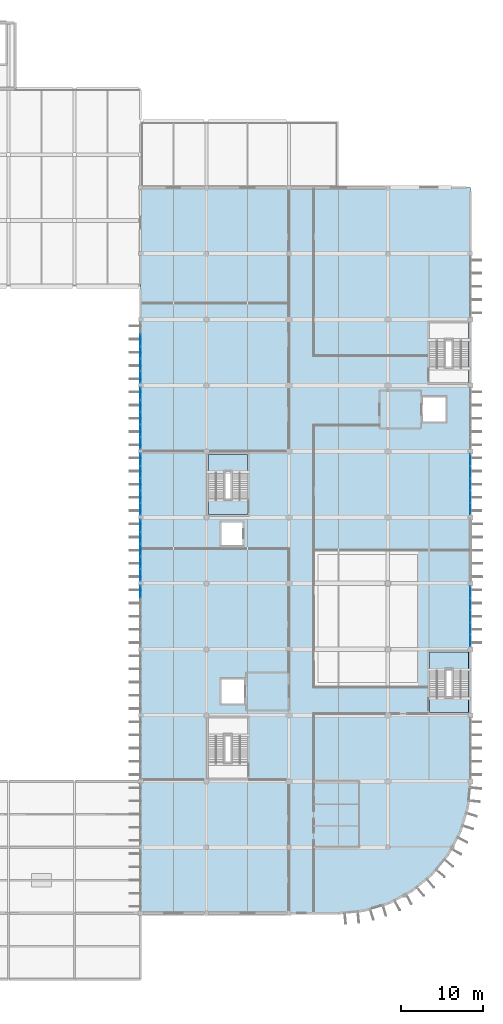
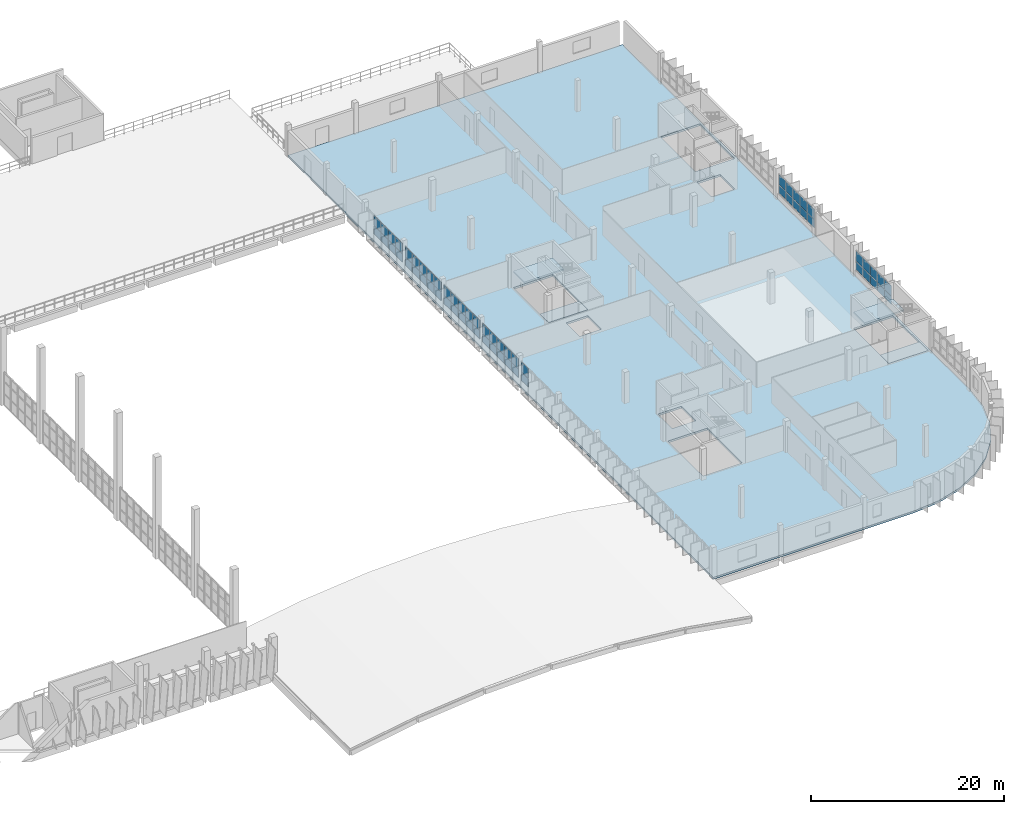
# One storey, part 43 of 66: 60 plates, 5 slabs, 9 elements without a shape of their own.
"""IFC4 building model written with IfcOpenShell, lengths in metres."""

from ifc_helpers import new_model, si_unit, direction, frame, origin, origin_2d, place, context, subcontext, project, spatial, polyline, rectangle, outline, extrude, material, layer, layer_set, type_object, element, aggregate, save


model = new_model("IFC4")

# Units and contexts
model_context = context("Model", 3, precision=1e-05, world=origin(), true_north=direction((0.0, 1.0)))
body_context = subcontext(model_context, "Body", "Model", "MODEL_VIEW")
ifc_project = project(units=[si_unit("LENGTHUNIT", "METRE"), si_unit("AREAUNIT", "SQUARE_METRE"), si_unit("VOLUMEUNIT", "CUBIC_METRE"), si_unit("PLANEANGLEUNIT", "RADIAN"), si_unit("MASSUNIT", "GRAM", prefix="KILO")], contexts=[model_context])

# Site, building, storey
site_placement = place(None, origin())
site = spatial("IfcSite", under=ifc_project, at=site_placement, CompositionType="ELEMENT")
building_placement = place(site_placement, origin())
building = spatial("IfcBuilding", under=site, at=building_placement, Name="Drelvana Railside Aquatics Centre", CompositionType="ELEMENT")
storey_placement = place(building_placement, frame((0.0, 0.0, 10.199951171875)))
storey = spatial("IfcBuildingStorey", under=building, at=storey_placement, Name="L02", CompositionType="ELEMENT", Elevation=10.199951171875)

# Curtain wall, plates
ifc_material_1 = material(Name="Bronze-anodised aluminium curtain wall", Category="aluminium")
ifc_layer_1 = layer(ifc_material_1, 0.175048828125, Name="Bronze-anodised aluminium curtain wall")
ifc_layer_set_1 = layer_set([ifc_layer_1], Name="Bronze-anodised aluminium curtain wall")
curtain_wall_type = type_object("IfcCurtainWallType", Name="CW-Z6-WING", PredefinedType="NOTDEFINED", material=ifc_layer_set_1)
curtain_wall_1_placement = place(storey_placement, origin())
curtain_wall_1 = element("IfcCurtainWall", 1, at=curtain_wall_1_placement, inside=storey, type_object=curtain_wall_type, Name="Curtain wall CW-06-146", PredefinedType="NOTDEFINED")
ifc_material_2 = material(Name="Double-glazed low-e solar-control glass", Category="glass")
ifc_layer_2 = layer(ifc_material_2, 0.02392578125, Name="Double-glazed low-e solar-control glass")
ifc_layer_set_2 = layer_set([ifc_layer_2], Name="Double-glazed low-e solar-control glass")
plate_type = type_object("IfcPlateType", Name="CW-Z6-WING-PAN", PredefinedType="CURTAIN_PANEL", material=ifc_layer_set_2)
plate_1_placement = place(storey_placement, frame((144.0, 46.988525390625, 0.84912109375), z_axis=(0.0, 0.0, 1.0), x_axis=(0.0, 1.0, 0.0)))
plate_1 = element("IfcPlate", 2, at=plate_1_placement, type_object=plate_type, Name="CW-06 panel 5.1", PredefinedType="CURTAIN_PANEL", context=body_context, shape_type="SweptSolid", body=[
    extrude(rectangle(XDim=1.414794921875, YDim=0.02392578125, at=origin_2d()), origin(), (0.0, 0.0, 1.0), 1.02490234375),
])
plate_2_placement = place(storey_placement, frame((144.0, 46.988525390625, 1.924072265625), z_axis=(0.0, 0.0, 1.0), x_axis=(0.0, 1.0, 0.0)))
plate_2 = element("IfcPlate", 3, at=plate_2_placement, type_object=plate_type, Name="CW-06 panel 5.2", PredefinedType="CURTAIN_PANEL", context=body_context, shape_type="SweptSolid", body=[
    extrude(rectangle(XDim=1.414794921875, YDim=0.02392578125, at=origin_2d()), origin(), (0.0, 0.0, 1.0), 1.27099609375),
])
aggregate(curtain_wall_1, [plate_1, plate_2])

curtain_wall_2_placement = place(storey_placement, origin())
curtain_wall_2 = element("IfcCurtainWall", 4, at=curtain_wall_2_placement, inside=storey, type_object=curtain_wall_type, Name="Curtain wall CW-06-150", PredefinedType="NOTDEFINED")
plate_3_placement = place(storey_placement, frame((144.0, 49.011474609375, 0.84912109375), z_axis=(0.0, 0.0, 1.0), x_axis=(0.0, 1.0, 0.0)))
plate_3 = element("IfcPlate", 5, at=plate_3_placement, type_object=plate_type, Name="CW-06 panel 1.1", PredefinedType="CURTAIN_PANEL", context=body_context, shape_type="SweptSolid", body=[
    extrude(rectangle(XDim=1.414794921875, YDim=0.02392578125, at=origin_2d()), origin(), (0.0, 0.0, 1.0), 1.02490234375),
])
plate_4_placement = place(storey_placement, frame((144.0, 49.011474609375, 1.924072265625), z_axis=(0.0, 0.0, 1.0), x_axis=(0.0, 1.0, 0.0)))
plate_4 = element("IfcPlate", 6, at=plate_4_placement, type_object=plate_type, Name="CW-06 panel 1.2", PredefinedType="CURTAIN_PANEL", context=body_context, shape_type="SweptSolid", body=[
    extrude(rectangle(XDim=1.414794921875, YDim=0.02392578125, at=origin_2d()), origin(), (0.0, 0.0, 1.0), 1.27099609375),
])
plate_5_placement = place(storey_placement, frame((144.0, 50.49755859375, 0.84912109375), z_axis=(0.0, 0.0, 1.0), x_axis=(0.0, 1.0, 0.0)))
plate_5 = element("IfcPlate", 7, at=plate_5_placement, type_object=plate_type, Name="CW-06 panel 2.1", PredefinedType="CURTAIN_PANEL", context=body_context, shape_type="SweptSolid", body=[
    extrude(rectangle(XDim=1.447509765625, YDim=0.02392578125, at=origin_2d()), origin(), (0.0, 0.0, 1.0), 1.02490234375),
])
plate_6_placement = place(storey_placement, frame((144.0, 50.49755859375, 1.924072265625), z_axis=(0.0, 0.0, 1.0), x_axis=(0.0, 1.0, 0.0)))
plate_6 = element("IfcPlate", 8, at=plate_6_placement, type_object=plate_type, Name="CW-06 panel 2.2", PredefinedType="CURTAIN_PANEL", context=body_context, shape_type="SweptSolid", body=[
    extrude(rectangle(XDim=1.447509765625, YDim=0.02392578125, at=origin_2d()), origin(), (0.0, 0.0, 1.0), 1.27099609375),
])
plate_7_placement = place(storey_placement, frame((144.0, 52.0, 0.84912109375), z_axis=(0.0, 0.0, 1.0), x_axis=(0.0, 1.0, 0.0)))
plate_7 = element("IfcPlate", 9, at=plate_7_placement, type_object=plate_type, Name="CW-06 panel 3.1", PredefinedType="CURTAIN_PANEL", context=body_context, shape_type="SweptSolid", body=[
    extrude(rectangle(XDim=1.447509765625, YDim=0.02392578125, at=origin_2d()), origin(), (0.0, 0.0, 1.0), 1.02490234375),
])
plate_8_placement = place(storey_placement, frame((144.0, 52.0, 1.924072265625), z_axis=(0.0, 0.0, 1.0), x_axis=(0.0, 1.0, 0.0)))
plate_8 = element("IfcPlate", 10, at=plate_8_placement, type_object=plate_type, Name="CW-06 panel 3.2", PredefinedType="CURTAIN_PANEL", context=body_context, shape_type="SweptSolid", body=[
    extrude(rectangle(XDim=1.447509765625, YDim=0.02392578125, at=origin_2d()), origin(), (0.0, 0.0, 1.0), 1.27099609375),
])
plate_9_placement = place(storey_placement, frame((144.0, 53.50244140625, 0.84912109375), z_axis=(0.0, 0.0, 1.0), x_axis=(0.0, 1.0, 0.0)))
plate_9 = element("IfcPlate", 11, at=plate_9_placement, type_object=plate_type, Name="CW-06 panel 4.1", PredefinedType="CURTAIN_PANEL", context=body_context, shape_type="SweptSolid", body=[
    extrude(rectangle(XDim=1.447509765625, YDim=0.02392578125, at=origin_2d()), origin(), (0.0, 0.0, 1.0), 1.02490234375),
])
plate_10_placement = place(storey_placement, frame((144.0, 53.50244140625, 1.924072265625), z_axis=(0.0, 0.0, 1.0), x_axis=(0.0, 1.0, 0.0)))
plate_10 = element("IfcPlate", 12, at=plate_10_placement, type_object=plate_type, Name="CW-06 panel 4.2", PredefinedType="CURTAIN_PANEL", context=body_context, shape_type="SweptSolid", body=[
    extrude(rectangle(XDim=1.447509765625, YDim=0.02392578125, at=origin_2d()), origin(), (0.0, 0.0, 1.0), 1.27099609375),
])
plate_11_placement = place(storey_placement, frame((144.0, 54.988525390625, 0.84912109375), z_axis=(0.0, 0.0, 1.0), x_axis=(0.0, 1.0, 0.0)))
plate_11 = element("IfcPlate", 13, at=plate_11_placement, type_object=plate_type, Name="CW-06 panel 5.1", PredefinedType="CURTAIN_PANEL", context=body_context, shape_type="SweptSolid", body=[
    extrude(rectangle(XDim=1.414794921875, YDim=0.02392578125, at=origin_2d()), origin(), (0.0, 0.0, 1.0), 1.02490234375),
])
plate_12_placement = place(storey_placement, frame((144.0, 54.988525390625, 1.924072265625), z_axis=(0.0, 0.0, 1.0), x_axis=(0.0, 1.0, 0.0)))
plate_12 = element("IfcPlate", 14, at=plate_12_placement, type_object=plate_type, Name="CW-06 panel 5.2", PredefinedType="CURTAIN_PANEL", context=body_context, shape_type="SweptSolid", body=[
    extrude(rectangle(XDim=1.414794921875, YDim=0.02392578125, at=origin_2d()), origin(), (0.0, 0.0, 1.0), 1.27099609375),
])
aggregate(curtain_wall_2, [plate_3, plate_4, plate_5, plate_6, plate_7, plate_8, plate_9, plate_10, plate_11, plate_12])

curtain_wall_3_placement = place(storey_placement, origin())
curtain_wall_3 = element("IfcCurtainWall", 15, at=curtain_wall_3_placement, inside=storey, type_object=curtain_wall_type, Name="Curtain wall CW-06-153", PredefinedType="NOTDEFINED")
plate_13_placement = place(storey_placement, frame((144.0, 57.011474609375, 0.84912109375), z_axis=(0.0, 0.0, 1.0), x_axis=(0.0, 1.0, 0.0)))
plate_13 = element("IfcPlate", 16, at=plate_13_placement, type_object=plate_type, Name="CW-06 panel 1.1", PredefinedType="CURTAIN_PANEL", context=body_context, shape_type="SweptSolid", body=[
    extrude(rectangle(XDim=1.414794921875, YDim=0.02392578125, at=origin_2d()), origin(), (0.0, 0.0, 1.0), 1.02490234375),
])
plate_14_placement = place(storey_placement, frame((144.0, 57.011474609375, 1.924072265625), z_axis=(0.0, 0.0, 1.0), x_axis=(0.0, 1.0, 0.0)))
plate_14 = element("IfcPlate", 17, at=plate_14_placement, type_object=plate_type, Name="CW-06 panel 1.2", PredefinedType="CURTAIN_PANEL", context=body_context, shape_type="SweptSolid", body=[
    extrude(rectangle(XDim=1.414794921875, YDim=0.02392578125, at=origin_2d()), origin(), (0.0, 0.0, 1.0), 1.27099609375),
])
plate_15_placement = place(storey_placement, frame((144.0, 58.49755859375, 0.84912109375), z_axis=(0.0, 0.0, 1.0), x_axis=(0.0, 1.0, 0.0)))
plate_15 = element("IfcPlate", 18, at=plate_15_placement, type_object=plate_type, Name="CW-06 panel 2.1", PredefinedType="CURTAIN_PANEL", context=body_context, shape_type="SweptSolid", body=[
    extrude(rectangle(XDim=1.447509765625, YDim=0.02392578125, at=origin_2d()), origin(), (0.0, 0.0, 1.0), 1.02490234375),
])
plate_16_placement = place(storey_placement, frame((144.0, 58.49755859375, 1.924072265625), z_axis=(0.0, 0.0, 1.0), x_axis=(0.0, 1.0, 0.0)))
plate_16 = element("IfcPlate", 19, at=plate_16_placement, type_object=plate_type, Name="CW-06 panel 2.2", PredefinedType="CURTAIN_PANEL", context=body_context, shape_type="SweptSolid", body=[
    extrude(rectangle(XDim=1.447509765625, YDim=0.02392578125, at=origin_2d()), origin(), (0.0, 0.0, 1.0), 1.27099609375),
])
plate_17_placement = place(storey_placement, frame((144.0, 60.0, 0.84912109375), z_axis=(0.0, 0.0, 1.0), x_axis=(0.0, 1.0, 0.0)))
plate_17 = element("IfcPlate", 20, at=plate_17_placement, type_object=plate_type, Name="CW-06 panel 3.1", PredefinedType="CURTAIN_PANEL", context=body_context, shape_type="SweptSolid", body=[
    extrude(rectangle(XDim=1.447509765625, YDim=0.02392578125, at=origin_2d()), origin(), (0.0, 0.0, 1.0), 1.02490234375),
])
plate_18_placement = place(storey_placement, frame((144.0, 60.0, 1.924072265625), z_axis=(0.0, 0.0, 1.0), x_axis=(0.0, 1.0, 0.0)))
plate_18 = element("IfcPlate", 21, at=plate_18_placement, type_object=plate_type, Name="CW-06 panel 3.2", PredefinedType="CURTAIN_PANEL", context=body_context, shape_type="SweptSolid", body=[
    extrude(rectangle(XDim=1.447509765625, YDim=0.02392578125, at=origin_2d()), origin(), (0.0, 0.0, 1.0), 1.27099609375),
])
plate_19_placement = place(storey_placement, frame((144.0, 61.50244140625, 0.84912109375), z_axis=(0.0, 0.0, 1.0), x_axis=(0.0, 1.0, 0.0)))
plate_19 = element("IfcPlate", 22, at=plate_19_placement, type_object=plate_type, Name="CW-06 panel 4.1", PredefinedType="CURTAIN_PANEL", context=body_context, shape_type="SweptSolid", body=[
    extrude(rectangle(XDim=1.447509765625, YDim=0.02392578125, at=origin_2d()), origin(), (0.0, 0.0, 1.0), 1.02490234375),
])
plate_20_placement = place(storey_placement, frame((144.0, 61.50244140625, 1.924072265625), z_axis=(0.0, 0.0, 1.0), x_axis=(0.0, 1.0, 0.0)))
plate_20 = element("IfcPlate", 23, at=plate_20_placement, type_object=plate_type, Name="CW-06 panel 4.2", PredefinedType="CURTAIN_PANEL", context=body_context, shape_type="SweptSolid", body=[
    extrude(rectangle(XDim=1.447509765625, YDim=0.02392578125, at=origin_2d()), origin(), (0.0, 0.0, 1.0), 1.27099609375),
])
plate_21_placement = place(storey_placement, frame((144.0, 62.988525390625, 0.84912109375), z_axis=(0.0, 0.0, 1.0), x_axis=(0.0, 1.0, 0.0)))
plate_21 = element("IfcPlate", 24, at=plate_21_placement, type_object=plate_type, Name="CW-06 panel 5.1", PredefinedType="CURTAIN_PANEL", context=body_context, shape_type="SweptSolid", body=[
    extrude(rectangle(XDim=1.414794921875, YDim=0.02392578125, at=origin_2d()), origin(), (0.0, 0.0, 1.0), 1.02490234375),
])
plate_22_placement = place(storey_placement, frame((144.0, 62.988525390625, 1.924072265625), z_axis=(0.0, 0.0, 1.0), x_axis=(0.0, 1.0, 0.0)))
plate_22 = element("IfcPlate", 25, at=plate_22_placement, type_object=plate_type, Name="CW-06 panel 5.2", PredefinedType="CURTAIN_PANEL", context=body_context, shape_type="SweptSolid", body=[
    extrude(rectangle(XDim=1.414794921875, YDim=0.02392578125, at=origin_2d()), origin(), (0.0, 0.0, 1.0), 1.27099609375),
])
aggregate(curtain_wall_3, [plate_13, plate_14, plate_15, plate_16, plate_17, plate_18, plate_19, plate_20, plate_21, plate_22])

curtain_wall_4_placement = place(storey_placement, origin())
curtain_wall_4 = element("IfcCurtainWall", 26, at=curtain_wall_4_placement, inside=storey, type_object=curtain_wall_type, Name="Curtain wall CW-06-157", PredefinedType="NOTDEFINED")
plate_23_placement = place(storey_placement, frame((144.0, 65.011474609375, 0.84912109375), z_axis=(0.0, 0.0, 1.0), x_axis=(0.0, 1.0, 0.0)))
plate_23 = element("IfcPlate", 27, at=plate_23_placement, type_object=plate_type, Name="CW-06 panel 1.1", PredefinedType="CURTAIN_PANEL", context=body_context, shape_type="SweptSolid", body=[
    extrude(rectangle(XDim=1.414794921875, YDim=0.02392578125, at=origin_2d()), origin(), (0.0, 0.0, 1.0), 1.02490234375),
])
plate_24_placement = place(storey_placement, frame((144.0, 65.011474609375, 1.924072265625), z_axis=(0.0, 0.0, 1.0), x_axis=(0.0, 1.0, 0.0)))
plate_24 = element("IfcPlate", 28, at=plate_24_placement, type_object=plate_type, Name="CW-06 panel 1.2", PredefinedType="CURTAIN_PANEL", context=body_context, shape_type="SweptSolid", body=[
    extrude(rectangle(XDim=1.414794921875, YDim=0.02392578125, at=origin_2d()), origin(), (0.0, 0.0, 1.0), 1.27099609375),
])
plate_25_placement = place(storey_placement, frame((144.0, 66.49755859375, 0.84912109375), z_axis=(0.0, 0.0, 1.0), x_axis=(0.0, 1.0, 0.0)))
plate_25 = element("IfcPlate", 29, at=plate_25_placement, type_object=plate_type, Name="CW-06 panel 2.1", PredefinedType="CURTAIN_PANEL", context=body_context, shape_type="SweptSolid", body=[
    extrude(rectangle(XDim=1.447509765625, YDim=0.02392578125, at=origin_2d()), origin(), (0.0, 0.0, 1.0), 1.02490234375),
])
plate_26_placement = place(storey_placement, frame((144.0, 66.49755859375, 1.924072265625), z_axis=(0.0, 0.0, 1.0), x_axis=(0.0, 1.0, 0.0)))
plate_26 = element("IfcPlate", 30, at=plate_26_placement, type_object=plate_type, Name="CW-06 panel 2.2", PredefinedType="CURTAIN_PANEL", context=body_context, shape_type="SweptSolid", body=[
    extrude(rectangle(XDim=1.447509765625, YDim=0.02392578125, at=origin_2d()), origin(), (0.0, 0.0, 1.0), 1.27099609375),
])
plate_27_placement = place(storey_placement, frame((144.0, 68.0, 0.84912109375), z_axis=(0.0, 0.0, 1.0), x_axis=(0.0, 1.0, 0.0)))
plate_27 = element("IfcPlate", 31, at=plate_27_placement, type_object=plate_type, Name="CW-06 panel 3.1", PredefinedType="CURTAIN_PANEL", context=body_context, shape_type="SweptSolid", body=[
    extrude(rectangle(XDim=1.447509765625, YDim=0.02392578125, at=origin_2d()), origin(), (0.0, 0.0, 1.0), 1.02490234375),
])
plate_28_placement = place(storey_placement, frame((144.0, 68.0, 1.924072265625), z_axis=(0.0, 0.0, 1.0), x_axis=(0.0, 1.0, 0.0)))
plate_28 = element("IfcPlate", 32, at=plate_28_placement, type_object=plate_type, Name="CW-06 panel 3.2", PredefinedType="CURTAIN_PANEL", context=body_context, shape_type="SweptSolid", body=[
    extrude(rectangle(XDim=1.447509765625, YDim=0.02392578125, at=origin_2d()), origin(), (0.0, 0.0, 1.0), 1.27099609375),
])
plate_29_placement = place(storey_placement, frame((144.0, 69.50244140625, 0.84912109375), z_axis=(0.0, 0.0, 1.0), x_axis=(0.0, 1.0, 0.0)))
plate_29 = element("IfcPlate", 33, at=plate_29_placement, type_object=plate_type, Name="CW-06 panel 4.1", PredefinedType="CURTAIN_PANEL", context=body_context, shape_type="SweptSolid", body=[
    extrude(rectangle(XDim=1.447509765625, YDim=0.02392578125, at=origin_2d()), origin(), (0.0, 0.0, 1.0), 1.02490234375),
])
plate_30_placement = place(storey_placement, frame((144.0, 69.50244140625, 1.924072265625), z_axis=(0.0, 0.0, 1.0), x_axis=(0.0, 1.0, 0.0)))
plate_30 = element("IfcPlate", 34, at=plate_30_placement, type_object=plate_type, Name="CW-06 panel 4.2", PredefinedType="CURTAIN_PANEL", context=body_context, shape_type="SweptSolid", body=[
    extrude(rectangle(XDim=1.447509765625, YDim=0.02392578125, at=origin_2d()), origin(), (0.0, 0.0, 1.0), 1.27099609375),
])
plate_31_placement = place(storey_placement, frame((144.0, 70.988525390625, 0.84912109375), z_axis=(0.0, 0.0, 1.0), x_axis=(0.0, 1.0, 0.0)))
plate_31 = element("IfcPlate", 35, at=plate_31_placement, type_object=plate_type, Name="CW-06 panel 5.1", PredefinedType="CURTAIN_PANEL", context=body_context, shape_type="SweptSolid", body=[
    extrude(rectangle(XDim=1.414794921875, YDim=0.02392578125, at=origin_2d()), origin(), (0.0, 0.0, 1.0), 1.02490234375),
])
plate_32_placement = place(storey_placement, frame((144.0, 70.988525390625, 1.924072265625), z_axis=(0.0, 0.0, 1.0), x_axis=(0.0, 1.0, 0.0)))
plate_32 = element("IfcPlate", 36, at=plate_32_placement, type_object=plate_type, Name="CW-06 panel 5.2", PredefinedType="CURTAIN_PANEL", context=body_context, shape_type="SweptSolid", body=[
    extrude(rectangle(XDim=1.414794921875, YDim=0.02392578125, at=origin_2d()), origin(), (0.0, 0.0, 1.0), 1.27099609375),
])
aggregate(curtain_wall_4, [plate_23, plate_24, plate_25, plate_26, plate_27, plate_28, plate_29, plate_30, plate_31, plate_32])

curtain_wall_5_placement = place(storey_placement, origin())
curtain_wall_5 = element("IfcCurtainWall", 37, at=curtain_wall_5_placement, inside=storey, type_object=curtain_wall_type, Name="Curtain wall CW-06-161", PredefinedType="NOTDEFINED")
plate_33_placement = place(storey_placement, frame((144.0, 73.011474609375, 0.84912109375), z_axis=(0.0, 0.0, 1.0), x_axis=(0.0, 1.0, 0.0)))
plate_33 = element("IfcPlate", 38, at=plate_33_placement, type_object=plate_type, Name="CW-06 panel 1.1", PredefinedType="CURTAIN_PANEL", context=body_context, shape_type="SweptSolid", body=[
    extrude(rectangle(XDim=1.414794921875, YDim=0.02392578125, at=origin_2d()), origin(), (0.0, 0.0, 1.0), 1.02490234375),
])
plate_34_placement = place(storey_placement, frame((144.0, 73.011474609375, 1.924072265625), z_axis=(0.0, 0.0, 1.0), x_axis=(0.0, 1.0, 0.0)))
plate_34 = element("IfcPlate", 39, at=plate_34_placement, type_object=plate_type, Name="CW-06 panel 1.2", PredefinedType="CURTAIN_PANEL", context=body_context, shape_type="SweptSolid", body=[
    extrude(rectangle(XDim=1.414794921875, YDim=0.02392578125, at=origin_2d()), origin(), (0.0, 0.0, 1.0), 1.27099609375),
])
plate_35_placement = place(storey_placement, frame((144.0, 74.49755859375, 0.84912109375), z_axis=(0.0, 0.0, 1.0), x_axis=(0.0, 1.0, 0.0)))
plate_35 = element("IfcPlate", 40, at=plate_35_placement, type_object=plate_type, Name="CW-06 panel 2.1", PredefinedType="CURTAIN_PANEL", context=body_context, shape_type="SweptSolid", body=[
    extrude(rectangle(XDim=1.447509765625, YDim=0.02392578125, at=origin_2d()), origin(), (0.0, 0.0, 1.0), 1.02490234375),
])
plate_36_placement = place(storey_placement, frame((144.0, 74.49755859375, 1.924072265625), z_axis=(0.0, 0.0, 1.0), x_axis=(0.0, 1.0, 0.0)))
plate_36 = element("IfcPlate", 41, at=plate_36_placement, type_object=plate_type, Name="CW-06 panel 2.2", PredefinedType="CURTAIN_PANEL", context=body_context, shape_type="SweptSolid", body=[
    extrude(rectangle(XDim=1.447509765625, YDim=0.02392578125, at=origin_2d()), origin(), (0.0, 0.0, 1.0), 1.27099609375),
])
plate_37_placement = place(storey_placement, frame((144.0, 76.0, 0.84912109375), z_axis=(0.0, 0.0, 1.0), x_axis=(0.0, 1.0, 0.0)))
plate_37 = element("IfcPlate", 42, at=plate_37_placement, type_object=plate_type, Name="CW-06 panel 3.1", PredefinedType="CURTAIN_PANEL", context=body_context, shape_type="SweptSolid", body=[
    extrude(rectangle(XDim=1.447509765625, YDim=0.02392578125, at=origin_2d()), origin(), (0.0, 0.0, 1.0), 1.02490234375),
])
plate_38_placement = place(storey_placement, frame((144.0, 76.0, 1.924072265625), z_axis=(0.0, 0.0, 1.0), x_axis=(0.0, 1.0, 0.0)))
plate_38 = element("IfcPlate", 43, at=plate_38_placement, type_object=plate_type, Name="CW-06 panel 3.2", PredefinedType="CURTAIN_PANEL", context=body_context, shape_type="SweptSolid", body=[
    extrude(rectangle(XDim=1.447509765625, YDim=0.02392578125, at=origin_2d()), origin(), (0.0, 0.0, 1.0), 1.27099609375),
])
plate_39_placement = place(storey_placement, frame((144.0, 77.50244140625, 0.84912109375), z_axis=(0.0, 0.0, 1.0), x_axis=(0.0, 1.0, 0.0)))
plate_39 = element("IfcPlate", 44, at=plate_39_placement, type_object=plate_type, Name="CW-06 panel 4.1", PredefinedType="CURTAIN_PANEL", context=body_context, shape_type="SweptSolid", body=[
    extrude(rectangle(XDim=1.447509765625, YDim=0.02392578125, at=origin_2d()), origin(), (0.0, 0.0, 1.0), 1.02490234375),
])
plate_40_placement = place(storey_placement, frame((144.0, 77.50244140625, 1.924072265625), z_axis=(0.0, 0.0, 1.0), x_axis=(0.0, 1.0, 0.0)))
plate_40 = element("IfcPlate", 45, at=plate_40_placement, type_object=plate_type, Name="CW-06 panel 4.2", PredefinedType="CURTAIN_PANEL", context=body_context, shape_type="SweptSolid", body=[
    extrude(rectangle(XDim=1.447509765625, YDim=0.02392578125, at=origin_2d()), origin(), (0.0, 0.0, 1.0), 1.27099609375),
])
aggregate(curtain_wall_5, [plate_33, plate_34, plate_35, plate_36, plate_37, plate_38, plate_39, plate_40])

curtain_wall_6_placement = place(storey_placement, origin())
curtain_wall_6 = element("IfcCurtainWall", 46, at=curtain_wall_6_placement, inside=storey, type_object=curtain_wall_type, Name="Curtain wall CW-06-172", PredefinedType="NOTDEFINED")
plate_41_placement = place(storey_placement, frame((184.0, 41.051513671875, 0.84912109375), z_axis=(0.0, 0.0, 1.0), x_axis=(0.0, 1.0, 0.0)))
plate_41 = element("IfcPlate", 47, at=plate_41_placement, type_object=plate_type, Name="CW-06 panel 1.1", PredefinedType="CURTAIN_PANEL", context=body_context, shape_type="SweptSolid", body=[
    extrude(rectangle(XDim=1.39501953125, YDim=0.02392578125, at=origin_2d()), origin(), (0.0, 0.0, 1.0), 1.02490234375),
])
plate_42_placement = place(storey_placement, frame((184.0, 41.051513671875, 1.924072265625), z_axis=(0.0, 0.0, 1.0), x_axis=(0.0, 1.0, 0.0)))
plate_42 = element("IfcPlate", 48, at=plate_42_placement, type_object=plate_type, Name="CW-06 panel 1.2", PredefinedType="CURTAIN_PANEL", context=body_context, shape_type="SweptSolid", body=[
    extrude(rectangle(XDim=1.39501953125, YDim=0.02392578125, at=origin_2d()), origin(), (0.0, 0.0, 1.0), 1.27099609375),
])
plate_43_placement = place(storey_placement, frame((184.0, 42.517578125, 0.84912109375), z_axis=(0.0, 0.0, 1.0), x_axis=(0.0, 1.0, 0.0)))
plate_43 = element("IfcPlate", 49, at=plate_43_placement, type_object=plate_type, Name="CW-06 panel 2.1", PredefinedType="CURTAIN_PANEL", context=body_context, shape_type="SweptSolid", body=[
    extrude(rectangle(XDim=1.427490234375, YDim=0.02392578125, at=origin_2d()), origin(), (0.0, 0.0, 1.0), 1.02490234375),
])
plate_44_placement = place(storey_placement, frame((184.0, 42.517578125, 1.924072265625), z_axis=(0.0, 0.0, 1.0), x_axis=(0.0, 1.0, 0.0)))
plate_44 = element("IfcPlate", 50, at=plate_44_placement, type_object=plate_type, Name="CW-06 panel 2.2", PredefinedType="CURTAIN_PANEL", context=body_context, shape_type="SweptSolid", body=[
    extrude(rectangle(XDim=1.427490234375, YDim=0.02392578125, at=origin_2d()), origin(), (0.0, 0.0, 1.0), 1.27099609375),
])
plate_45_placement = place(storey_placement, frame((184.0, 44.0, 0.84912109375), z_axis=(0.0, 0.0, 1.0), x_axis=(0.0, 1.0, 0.0)))
plate_45 = element("IfcPlate", 51, at=plate_45_placement, type_object=plate_type, Name="CW-06 panel 3.1", PredefinedType="CURTAIN_PANEL", context=body_context, shape_type="SweptSolid", body=[
    extrude(rectangle(XDim=1.427490234375, YDim=0.02392578125, at=origin_2d()), origin(), (0.0, 0.0, 1.0), 1.02490234375),
])
plate_46_placement = place(storey_placement, frame((184.0, 44.0, 1.924072265625), z_axis=(0.0, 0.0, 1.0), x_axis=(0.0, 1.0, 0.0)))
plate_46 = element("IfcPlate", 52, at=plate_46_placement, type_object=plate_type, Name="CW-06 panel 3.2", PredefinedType="CURTAIN_PANEL", context=body_context, shape_type="SweptSolid", body=[
    extrude(rectangle(XDim=1.427490234375, YDim=0.02392578125, at=origin_2d()), origin(), (0.0, 0.0, 1.0), 1.27099609375),
])
plate_47_placement = place(storey_placement, frame((184.0, 45.482421875, 0.84912109375), z_axis=(0.0, 0.0, 1.0), x_axis=(0.0, 1.0, 0.0)))
plate_47 = element("IfcPlate", 53, at=plate_47_placement, type_object=plate_type, Name="CW-06 panel 4.1", PredefinedType="CURTAIN_PANEL", context=body_context, shape_type="SweptSolid", body=[
    extrude(rectangle(XDim=1.427490234375, YDim=0.02392578125, at=origin_2d()), origin(), (0.0, 0.0, 1.0), 1.02490234375),
])
plate_48_placement = place(storey_placement, frame((184.0, 45.482421875, 1.924072265625), z_axis=(0.0, 0.0, 1.0), x_axis=(0.0, 1.0, 0.0)))
plate_48 = element("IfcPlate", 54, at=plate_48_placement, type_object=plate_type, Name="CW-06 panel 4.2", PredefinedType="CURTAIN_PANEL", context=body_context, shape_type="SweptSolid", body=[
    extrude(rectangle(XDim=1.427490234375, YDim=0.02392578125, at=origin_2d()), origin(), (0.0, 0.0, 1.0), 1.27099609375),
])
plate_49_placement = place(storey_placement, frame((184.0, 46.948486328125, 0.84912109375), z_axis=(0.0, 0.0, 1.0), x_axis=(0.0, 1.0, 0.0)))
plate_49 = element("IfcPlate", 55, at=plate_49_placement, type_object=plate_type, Name="CW-06 panel 5.1", PredefinedType="CURTAIN_PANEL", context=body_context, shape_type="SweptSolid", body=[
    extrude(rectangle(XDim=1.39501953125, YDim=0.02392578125, at=origin_2d()), origin(), (0.0, 0.0, 1.0), 1.02490234375),
])
plate_50_placement = place(storey_placement, frame((184.0, 46.948486328125, 1.924072265625), z_axis=(0.0, 0.0, 1.0), x_axis=(0.0, 1.0, 0.0)))
plate_50 = element("IfcPlate", 56, at=plate_50_placement, type_object=plate_type, Name="CW-06 panel 5.2", PredefinedType="CURTAIN_PANEL", context=body_context, shape_type="SweptSolid", body=[
    extrude(rectangle(XDim=1.39501953125, YDim=0.02392578125, at=origin_2d()), origin(), (0.0, 0.0, 1.0), 1.27099609375),
])
aggregate(curtain_wall_6, [plate_41, plate_42, plate_43, plate_44, plate_45, plate_46, plate_47, plate_48, plate_49, plate_50])

curtain_wall_7_placement = place(storey_placement, origin())
curtain_wall_7 = element("IfcCurtainWall", 57, at=curtain_wall_7_placement, inside=storey, type_object=curtain_wall_type, Name="Curtain wall CW-06-177", PredefinedType="NOTDEFINED")
plate_51_placement = place(storey_placement, frame((184.0, 57.051513671875, 0.84912109375), z_axis=(0.0, 0.0, 1.0), x_axis=(0.0, 1.0, 0.0)))
plate_51 = element("IfcPlate", 58, at=plate_51_placement, type_object=plate_type, Name="CW-06 panel 1.1", PredefinedType="CURTAIN_PANEL", context=body_context, shape_type="SweptSolid", body=[
    extrude(rectangle(XDim=1.39501953125, YDim=0.02392578125, at=origin_2d()), origin(), (0.0, 0.0, 1.0), 1.02490234375),
])
plate_52_placement = place(storey_placement, frame((184.0, 57.051513671875, 1.924072265625), z_axis=(0.0, 0.0, 1.0), x_axis=(0.0, 1.0, 0.0)))
plate_52 = element("IfcPlate", 59, at=plate_52_placement, type_object=plate_type, Name="CW-06 panel 1.2", PredefinedType="CURTAIN_PANEL", context=body_context, shape_type="SweptSolid", body=[
    extrude(rectangle(XDim=1.39501953125, YDim=0.02392578125, at=origin_2d()), origin(), (0.0, 0.0, 1.0), 1.27099609375),
])
plate_53_placement = place(storey_placement, frame((184.0, 58.517578125, 0.84912109375), z_axis=(0.0, 0.0, 1.0), x_axis=(0.0, 1.0, 0.0)))
plate_53 = element("IfcPlate", 60, at=plate_53_placement, type_object=plate_type, Name="CW-06 panel 2.1", PredefinedType="CURTAIN_PANEL", context=body_context, shape_type="SweptSolid", body=[
    extrude(rectangle(XDim=1.427490234375, YDim=0.02392578125, at=origin_2d()), origin(), (0.0, 0.0, 1.0), 1.02490234375),
])
plate_54_placement = place(storey_placement, frame((184.0, 58.517578125, 1.924072265625), z_axis=(0.0, 0.0, 1.0), x_axis=(0.0, 1.0, 0.0)))
plate_54 = element("IfcPlate", 61, at=plate_54_placement, type_object=plate_type, Name="CW-06 panel 2.2", PredefinedType="CURTAIN_PANEL", context=body_context, shape_type="SweptSolid", body=[
    extrude(rectangle(XDim=1.427490234375, YDim=0.02392578125, at=origin_2d()), origin(), (0.0, 0.0, 1.0), 1.27099609375),
])
plate_55_placement = place(storey_placement, frame((184.0, 60.0, 0.84912109375), z_axis=(0.0, 0.0, 1.0), x_axis=(0.0, 1.0, 0.0)))
plate_55 = element("IfcPlate", 62, at=plate_55_placement, type_object=plate_type, Name="CW-06 panel 3.1", PredefinedType="CURTAIN_PANEL", context=body_context, shape_type="SweptSolid", body=[
    extrude(rectangle(XDim=1.427490234375, YDim=0.02392578125, at=origin_2d()), origin(), (0.0, 0.0, 1.0), 1.02490234375),
])
plate_56_placement = place(storey_placement, frame((184.0, 60.0, 1.924072265625), z_axis=(0.0, 0.0, 1.0), x_axis=(0.0, 1.0, 0.0)))
plate_56 = element("IfcPlate", 63, at=plate_56_placement, type_object=plate_type, Name="CW-06 panel 3.2", PredefinedType="CURTAIN_PANEL", context=body_context, shape_type="SweptSolid", body=[
    extrude(rectangle(XDim=1.427490234375, YDim=0.02392578125, at=origin_2d()), origin(), (0.0, 0.0, 1.0), 1.27099609375),
])
plate_57_placement = place(storey_placement, frame((184.0, 61.482421875, 0.84912109375), z_axis=(0.0, 0.0, 1.0), x_axis=(0.0, 1.0, 0.0)))
plate_57 = element("IfcPlate", 64, at=plate_57_placement, type_object=plate_type, Name="CW-06 panel 4.1", PredefinedType="CURTAIN_PANEL", context=body_context, shape_type="SweptSolid", body=[
    extrude(rectangle(XDim=1.427490234375, YDim=0.02392578125, at=origin_2d()), origin(), (0.0, 0.0, 1.0), 1.02490234375),
])
plate_58_placement = place(storey_placement, frame((184.0, 61.482421875, 1.924072265625), z_axis=(0.0, 0.0, 1.0), x_axis=(0.0, 1.0, 0.0)))
plate_58 = element("IfcPlate", 65, at=plate_58_placement, type_object=plate_type, Name="CW-06 panel 4.2", PredefinedType="CURTAIN_PANEL", context=body_context, shape_type="SweptSolid", body=[
    extrude(rectangle(XDim=1.427490234375, YDim=0.02392578125, at=origin_2d()), origin(), (0.0, 0.0, 1.0), 1.27099609375),
])
plate_59_placement = place(storey_placement, frame((184.0, 62.948486328125, 0.84912109375), z_axis=(0.0, 0.0, 1.0), x_axis=(0.0, 1.0, 0.0)))
plate_59 = element("IfcPlate", 66, at=plate_59_placement, type_object=plate_type, Name="CW-06 panel 5.1", PredefinedType="CURTAIN_PANEL", context=body_context, shape_type="SweptSolid", body=[
    extrude(rectangle(XDim=1.39501953125, YDim=0.02392578125, at=origin_2d()), origin(), (0.0, 0.0, 1.0), 1.02490234375),
])
plate_60_placement = place(storey_placement, frame((184.0, 62.948486328125, 1.924072265625), z_axis=(0.0, 0.0, 1.0), x_axis=(0.0, 1.0, 0.0)))
plate_60 = element("IfcPlate", 67, at=plate_60_placement, type_object=plate_type, Name="CW-06 panel 5.2", PredefinedType="CURTAIN_PANEL", context=body_context, shape_type="SweptSolid", body=[
    extrude(rectangle(XDim=1.39501953125, YDim=0.02392578125, at=origin_2d()), origin(), (0.0, 0.0, 1.0), 1.27099609375),
])
aggregate(curtain_wall_7, [plate_51, plate_52, plate_53, plate_54, plate_55, plate_56, plate_57, plate_58, plate_59, plate_60])

# Slabs
ifc_material_3 = material(Name="Concrete C40/50", Category="concrete")
ifc_layer_3 = layer(ifc_material_3, 0.25, Name="Concrete C40/50")
ifc_layer_set_3 = layer_set([ifc_layer_3], Name="Concrete C40/50")
slab_type_1 = type_object("IfcSlabType", Name="SL-L02-250", PredefinedType="FLOOR", material=ifc_layer_set_3)
slab_1_placement = place(storey_placement, frame((0.0, 0.0, -0.25)))
element("IfcSlab", 68, at=slab_1_placement, inside=storey, type_object=slab_type_1, Name="Thermal Wellness Spa L02 floor slab", PredefinedType="FLOOR", context=body_context, shape_type="SweptSolid", body=[
    extrude(outline(polyline([(144.0, 8.0), (168.0, 8.0), (171.121337890625, 8.307373046875), (174.123046875, 9.218017578125), (176.88916015625, 10.696533203125), (179.313720703125, 12.686279296875), (181.303466796875, 15.11083984375), (182.781982421875, 17.876953125), (183.692626953125, 20.878662109375), (184.0, 24.0), (184.0, 96.0), (144.0, 96.0), (144.0, 8.0)]), holes=[polyline([(152.25, 24.409912109375), (156.949951171875, 24.409912109375), (156.949951171875, 31.64990234375), (152.25, 31.64990234375), (152.25, 24.409912109375)]), polyline([(153.800048828125, 33.39990234375), (156.60009765625, 33.39990234375), (156.60009765625, 36.39990234375), (153.800048828125, 36.39990234375), (153.800048828125, 33.39990234375)]), polyline([(179.050048828125, 72.35009765625), (183.75, 72.35009765625), (183.75, 79.590087890625), (179.050048828125, 79.590087890625), (179.050048828125, 72.35009765625)]), polyline([(178.199951171875, 67.60009765625), (181.0, 67.60009765625), (181.0, 70.60009765625), (178.199951171875, 70.60009765625), (178.199951171875, 67.60009765625)]), polyline([(152.25, 56.35009765625), (156.949951171875, 56.35009765625), (156.949951171875, 63.64990234375), (152.25, 63.64990234375), (152.25, 56.35009765625)]), polyline([(153.800048828125, 52.60009765625), (156.39990234375, 52.60009765625), (156.39990234375, 55.39990234375), (153.800048828125, 55.39990234375), (153.800048828125, 52.60009765625)]), polyline([(179.050048828125, 32.35009765625), (183.75, 32.35009765625), (183.75, 39.64990234375), (179.050048828125, 39.64990234375), (179.050048828125, 32.35009765625)])]), origin(), (0.0, 0.0, 1.0), 0.25),
])
ifc_layer_4 = layer(ifc_material_3, 0.199951171875, Name="Concrete C40/50")
ifc_layer_set_4 = layer_set([ifc_layer_4], Name="Concrete C40/50")
slab_type_2 = type_object("IfcSlabType", Name="SL-LAND-200", PredefinedType="LANDING", material=ifc_layer_set_4)
slab_2_placement = place(storey_placement, frame((0.0, 0.0, -0.199951171875)))
element("IfcSlab", 69, at=slab_2_placement, inside=storey, type_object=slab_type_2, Name="Stair ST-08 L02 floor landing", PredefinedType="LANDING", context=body_context, shape_type="SweptSolid", body=[
    extrude(outline(polyline([(152.25, 56.35009765625), (156.949951171875, 56.35009765625), (156.949951171875, 58.14990234375), (152.25, 58.14990234375), (152.25, 56.35009765625)])), origin(), (0.0, 0.0, 1.0), 0.199951171875),
])

# Stair, slab
stair_type = type_object("IfcStairType", Name="ST-CORE-W170", PredefinedType="HALF_TURN_STAIR", material=ifc_material_3)
stair_1_placement = place(storey_placement, origin())
stair_1 = element("IfcStair", 70, at=stair_1_placement, inside=storey, type_object=stair_type, Name="Exit stair ST-08 (L02 to L03)", PredefinedType="HALF_TURN_STAIR")
slab_3_placement = place(storey_placement, frame((0.0, 0.0, 1.900146484375)))
slab_3 = element("IfcSlab", 71, at=slab_3_placement, type_object=slab_type_2, Name="ST-WD landing 1", PredefinedType="LANDING", context=body_context, shape_type="SweptSolid", body=[
    extrude(outline(polyline([(152.25, 61.344970703125), (156.949951171875, 61.344970703125), (156.949951171875, 63.64990234375), (152.25, 63.64990234375), (152.25, 61.344970703125)])), origin(), (0.0, 0.0, 1.0), 0.199951171875),
])
aggregate(stair_1, [slab_3])

# Slab
slab_4_placement = place(storey_placement, frame((0.0, 0.0, -0.199951171875)))
element("IfcSlab", 72, at=slab_4_placement, inside=storey, type_object=slab_type_2, Name="Stair ST-09 L02 floor landing", PredefinedType="LANDING", context=body_context, shape_type="SweptSolid", body=[
    extrude(outline(polyline([(179.050048828125, 32.35009765625), (183.75, 32.35009765625), (183.75, 34.14990234375), (179.050048828125, 34.14990234375), (179.050048828125, 32.35009765625)])), origin(), (0.0, 0.0, 1.0), 0.199951171875),
])

# Stair, slab
stair_2_placement = place(storey_placement, origin())
stair_2 = element("IfcStair", 73, at=stair_2_placement, inside=storey, type_object=stair_type, Name="Exit stair ST-09 (L02 to L03)", PredefinedType="HALF_TURN_STAIR")
slab_5_placement = place(storey_placement, frame((0.0, 0.0, 1.900146484375)))
slab_5 = element("IfcSlab", 74, at=slab_5_placement, type_object=slab_type_2, Name="ST-WD landing 1", PredefinedType="LANDING", context=body_context, shape_type="SweptSolid", body=[
    extrude(outline(polyline([(179.050048828125, 37.344970703125), (183.75, 37.344970703125), (183.75, 39.64990234375), (179.050048828125, 39.64990234375), (179.050048828125, 37.344970703125)])), origin(), (0.0, 0.0, 1.0), 0.199951171875),
])
aggregate(stair_2, [slab_5])

save(model, "model.ifc")
